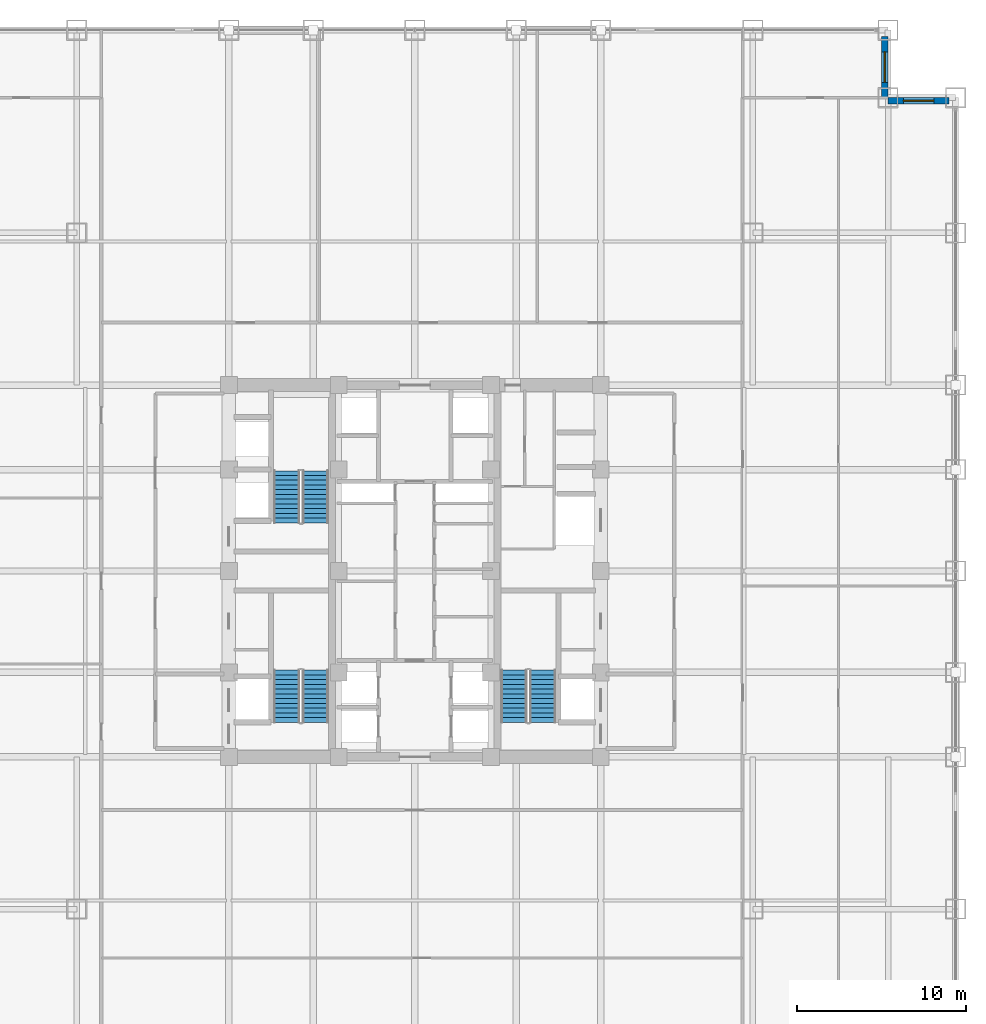
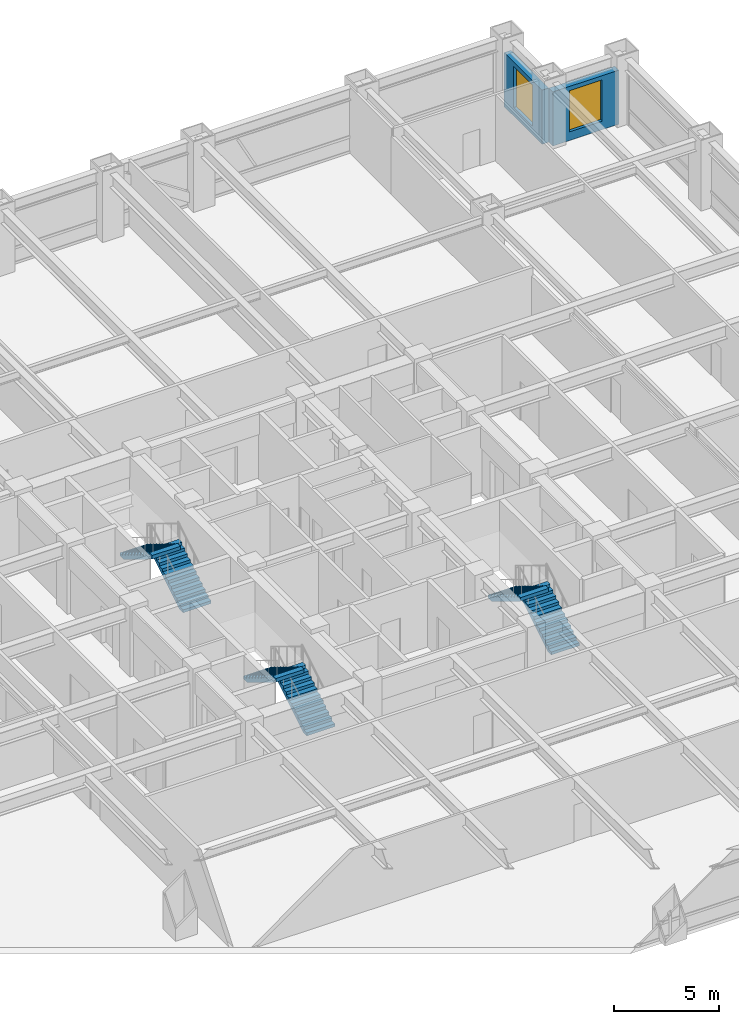
# One storey, part 27 of 28: 6 stair flights, 2 walls, 2 windows, 2 openings, 3 elements without a shape of their own.
"""IFC4 building model written with IfcOpenShell, lengths in metres."""

from ifc_helpers import new_model, si_unit, direction, frame, frame_2d, origin, place, context, subcontext, project, spatial, polyline, rectangle, outline, extrude, source, transform, mapped, material, layer, layer_set, type_object, element, fill, aggregate, save


model = new_model("IFC4")

# Units and contexts
model_context = context("Model", 3, precision=1e-05, world=origin(), true_north=direction((0.0, 1.0)))
body_context = subcontext(model_context, "Body", "Model", "MODEL_VIEW")
ifc_project = project(units=[si_unit("LENGTHUNIT", "METRE"), si_unit("AREAUNIT", "SQUARE_METRE"), si_unit("VOLUMEUNIT", "CUBIC_METRE"), si_unit("PLANEANGLEUNIT", "RADIAN"), si_unit("MASSUNIT", "GRAM", prefix="KILO")], contexts=[model_context])

# Site, building, storey
site_placement = place(None, origin())
site = spatial("IfcSite", under=ifc_project, at=site_placement, CompositionType="ELEMENT")
building_placement = place(site_placement, origin())
building = spatial("IfcBuilding", under=site, at=building_placement, Name="Khorayat Bourse Tower", CompositionType="ELEMENT")
storey_placement = place(building_placement, frame((0.0, 0.0, 116.0)))
storey = spatial("IfcBuildingStorey", under=building, at=storey_placement, Name="L26", CompositionType="ELEMENT", Elevation=116.0)

# Wall, opening, window
ifc_material_1 = material(Name="Precast concrete C45/55", Category="concrete")
ifc_layer = layer(ifc_material_1, 0.3798828125)
ifc_layer_set = layer_set([ifc_layer], Name="Precast concrete C45/55")
wall_type = type_object("IfcWallType", Name="WAL-EXT-STONE-380", PredefinedType="STANDARD", material=ifc_layer_set)
shared_shape_1 = source(origin(), body_context, "Body", "SweptSolid", [
    extrude(rectangle(XDim=3.6201171875, YDim=0.3798828125, at=frame_2d((1.81005859375, 0.0))), origin(), (0.0, 0.0, 1.0), 3.14501953125),
])
wall_1_placement = place(storey_placement, frame((28.0, 27.81005859375, 0.0), z_axis=(0.0, 0.0, 1.0), x_axis=(1.0, 0.0, 0.0)))
wall_1 = element("IfcWall", 1, at=wall_1_placement, inside=storey, type_object=wall_type, Name="L26 Re-Entrant Notch Limestone Wall NE-H", PredefinedType="STANDARD", context=body_context, shape_type="MappedRepresentation", body=[
    mapped(shared_shape_1, transform((0.0, 0.0, 0.0), scale=1.0)),
])
shared_shape_2 = source(origin(), body_context, "Body", "SweptSolid", [
    extrude(rectangle(XDim=1.800048828125, YDim=2.39990234375, at=frame_2d((0.89990234375, 1.199951171875))), frame((0.0, 0.199951171875, 0.0), z_axis=(0.0, -1.0, 0.0), x_axis=(1.0, 0.0, 0.0)), (0.0, 0.0, 1.0), 0.39990234375),
])
opening_1_placement = place(wall_1_placement, frame((0.909912109375, 0.0, 0.5)))
opening_1 = element("IfcOpeningElement", 2, at=opening_1_placement, cuts=wall_1, Name="Opening WN-04", PredefinedType="OPENING", context=body_context, shape_type="MappedRepresentation", body=[
    mapped(shared_shape_2, transform((0.0, 0.0, 0.0), scale=1.0)),
])
ifc_material_2 = material(Name="Low-E acoustic laminated double glazing", Category="glass")
window_type = type_object("IfcWindowType", Name="WIN-NOTCH-1800x2400", PartitioningType="SINGLE_PANEL", PredefinedType="WINDOW", material=ifc_material_2)
shared_shape_3 = source(origin(), body_context, "Body", "SweptSolid", [
    extrude(rectangle(XDim=1.800048828125, YDim=2.39990234375, at=frame_2d((0.89990234375, 1.199951171875))), frame((0.0, 0.030029296875, 0.0), z_axis=(0.0, -1.0, 0.0), x_axis=(1.0, 0.0, 0.0)), (0.0, 0.0, 1.0), 0.06005859375),
])
window_1_placement = place(opening_1_placement, origin())
window_1 = element("IfcWindow", 3, at=window_1_placement, inside=storey, type_object=window_type, Name="L26 Facade Window 1", OverallHeight=2.39990234375, OverallWidth=1.800048828125, PartitioningType="SINGLE_PANEL", PredefinedType="WINDOW", context=body_context, shape_type="MappedRepresentation", body=[
    mapped(shared_shape_3, transform((0.0, 0.0, 0.0), scale=1.0)),
])
fill(opening_1, window_1)

wall_2_placement = place(storey_placement, frame((27.81005859375, 28.0, 0.0), z_axis=(0.0, 0.0, 1.0), x_axis=(0.0, 1.0, 0.0)))
wall_2 = element("IfcWall", 4, at=wall_2_placement, inside=storey, type_object=wall_type, Name="L26 Re-Entrant Notch Limestone Wall NE-V", PredefinedType="STANDARD", context=body_context, shape_type="MappedRepresentation", body=[
    mapped(shared_shape_1, transform((0.0, 0.0, 0.0), scale=1.0)),
])
opening_2_placement = place(wall_2_placement, frame((0.909912109375, 0.0, 0.5)))
opening_2 = element("IfcOpeningElement", 5, at=opening_2_placement, cuts=wall_2, Name="Opening WN-04", PredefinedType="OPENING", context=body_context, shape_type="MappedRepresentation", body=[
    mapped(shared_shape_2, transform((0.0, 0.0, 0.0), scale=1.0)),
])
window_2_placement = place(opening_2_placement, origin())
window_2 = element("IfcWindow", 6, at=window_2_placement, inside=storey, type_object=window_type, Name="L26 Facade Window 1", OverallHeight=2.39990234375, OverallWidth=1.800048828125, PartitioningType="SINGLE_PANEL", PredefinedType="WINDOW", context=body_context, shape_type="MappedRepresentation", body=[
    mapped(shared_shape_3, transform((0.0, 0.0, 0.0), scale=1.0)),
])
fill(opening_2, window_2)

# Stair, stair flights
ifc_material_3 = material(Name="Concrete C40/50", Category="concrete")
stair_type = type_object("IfcStairType", Name="STR-CORE-1550", PredefinedType="HALF_TURN_STAIR", material=ifc_material_3)
stair_1_placement = place(storey_placement, origin())
stair_1 = element("IfcStair", 7, at=stair_1_placement, inside=storey, type_object=stair_type, Name="L26 Exit Stair ST-1", PredefinedType="HALF_TURN_STAIR")
stair_flight_type = type_object("IfcStairFlightType", Name="FLT-CORE-1550", PredefinedType="STRAIGHT", material=ifc_material_3)
shared_shape_4 = source(origin(), body_context, "Body", "SweptSolid", [
    extrude(outline(polyline([(0.0, 0.0), (0.0, 0.1708984375), (0.280029296875, 0.1708984375), (0.280029296875, 0.341552734375), (0.56005859375, 0.341552734375), (0.56005859375, 0.512451171875), (0.840087890625, 0.512451171875), (0.840087890625, 0.683349609375), (1.1201171875, 0.683349609375), (1.1201171875, 0.854248046875), (1.39990234375, 0.854248046875), (1.39990234375, 1.02490234375), (1.679931640625, 1.02490234375), (1.679931640625, 1.19580078125), (1.9599609375, 1.19580078125), (1.9599609375, 1.36669921875), (2.239990234375, 1.36669921875), (2.239990234375, 1.53759765625), (2.52001953125, 1.53759765625), (2.52001953125, 1.708251953125), (2.800048828125, 1.708251953125), (2.800048828125, 1.879150390625), (3.080078125, 1.879150390625), (3.080078125, 2.050048828125), (3.080078125, 1.66845703125), (0.345458984375, 0.0), (0.0, 0.0)])), frame((0.0, 0.77490234375, 0.0), z_axis=(0.0, -1.0, 0.0), x_axis=(1.0, 0.0, 0.0)), (0.0, 0.0, 1.0), 1.550048828125),
])
stair_flight_1_placement = place(storey_placement, frame((-5.875, -8.949951171875, 0.0), z_axis=(0.0, 0.0, 1.0), x_axis=(0.0, 1.0, 0.0)))
stair_flight_1 = element("IfcStairFlight", 8, at=stair_flight_1_placement, type_object=stair_flight_type, Name="ST-1 flight 1", NumberOfRisers=12, NumberOfTreads=11, PredefinedType="STRAIGHT", RiserHeight=0.170833333, TreadLength=0.28, context=body_context, shape_type="MappedRepresentation", body=[
    mapped(shared_shape_4, transform((0.0, 0.0, 0.0), scale=1.0)),
])
stair_flight_2_placement = place(storey_placement, frame((-7.574951171875, -5.8701171875, 2.050048828125), z_axis=(0.0, 0.0, 1.0), x_axis=(0.0, -1.0, 0.0)))
stair_flight_2 = element("IfcStairFlight", 9, at=stair_flight_2_placement, type_object=stair_flight_type, Name="ST-1 flight 2", NumberOfRisers=12, NumberOfTreads=11, PredefinedType="STRAIGHT", RiserHeight=0.170833333, TreadLength=0.28, context=body_context, shape_type="MappedRepresentation", body=[
    mapped(shared_shape_4, transform((0.0, 0.0, 0.0), scale=1.0)),
])
aggregate(stair_1, [stair_flight_1, stair_flight_2])

stair_2_placement = place(storey_placement, origin())
stair_2 = element("IfcStair", 10, at=stair_2_placement, inside=storey, type_object=stair_type, Name="L26 Exit Stair ST-2", PredefinedType="HALF_TURN_STAIR")
stair_flight_3_placement = place(storey_placement, frame((-5.875, 2.85009765625, 0.0), z_axis=(0.0, 0.0, 1.0), x_axis=(0.0, 1.0, 0.0)))
stair_flight_3 = element("IfcStairFlight", 11, at=stair_flight_3_placement, type_object=stair_flight_type, Name="ST-2 flight 1", NumberOfRisers=12, NumberOfTreads=11, PredefinedType="STRAIGHT", RiserHeight=0.170833333, TreadLength=0.28, context=body_context, shape_type="MappedRepresentation", body=[
    mapped(shared_shape_4, transform((0.0, 0.0, 0.0), scale=1.0)),
])
stair_flight_4_placement = place(storey_placement, frame((-7.574951171875, 5.929931640625, 2.050048828125), z_axis=(0.0, 0.0, 1.0), x_axis=(0.0, -1.0, 0.0)))
stair_flight_4 = element("IfcStairFlight", 12, at=stair_flight_4_placement, type_object=stair_flight_type, Name="ST-2 flight 2", NumberOfRisers=12, NumberOfTreads=11, PredefinedType="STRAIGHT", RiserHeight=0.170833333, TreadLength=0.28, context=body_context, shape_type="MappedRepresentation", body=[
    mapped(shared_shape_4, transform((0.0, 0.0, 0.0), scale=1.0)),
])
aggregate(stair_2, [stair_flight_3, stair_flight_4])

stair_3_placement = place(storey_placement, origin())
stair_3 = element("IfcStair", 13, at=stair_3_placement, inside=storey, type_object=stair_type, Name="L26 Exit Stair ST-3", PredefinedType="HALF_TURN_STAIR")
stair_flight_5_placement = place(storey_placement, frame((7.574951171875, -8.949951171875, 0.0), z_axis=(0.0, 0.0, 1.0), x_axis=(0.0, 1.0, 0.0)))
stair_flight_5 = element("IfcStairFlight", 14, at=stair_flight_5_placement, type_object=stair_flight_type, Name="ST-3 flight 1", NumberOfRisers=12, NumberOfTreads=11, PredefinedType="STRAIGHT", RiserHeight=0.170833333, TreadLength=0.28, context=body_context, shape_type="MappedRepresentation", body=[
    mapped(shared_shape_4, transform((0.0, 0.0, 0.0), scale=1.0)),
])
stair_flight_6_placement = place(storey_placement, frame((5.875, -5.8701171875, 2.050048828125), z_axis=(0.0, 0.0, 1.0), x_axis=(0.0, -1.0, 0.0)))
stair_flight_6 = element("IfcStairFlight", 15, at=stair_flight_6_placement, type_object=stair_flight_type, Name="ST-3 flight 2", NumberOfRisers=12, NumberOfTreads=11, PredefinedType="STRAIGHT", RiserHeight=0.170833333, TreadLength=0.28, context=body_context, shape_type="MappedRepresentation", body=[
    mapped(shared_shape_4, transform((0.0, 0.0, 0.0), scale=1.0)),
])
aggregate(stair_3, [stair_flight_5, stair_flight_6])

save(model, "model.ifc")
